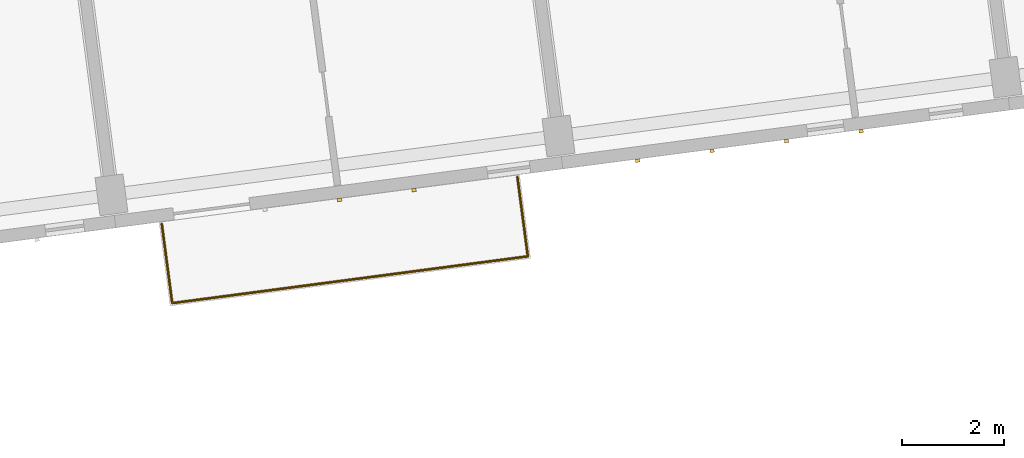
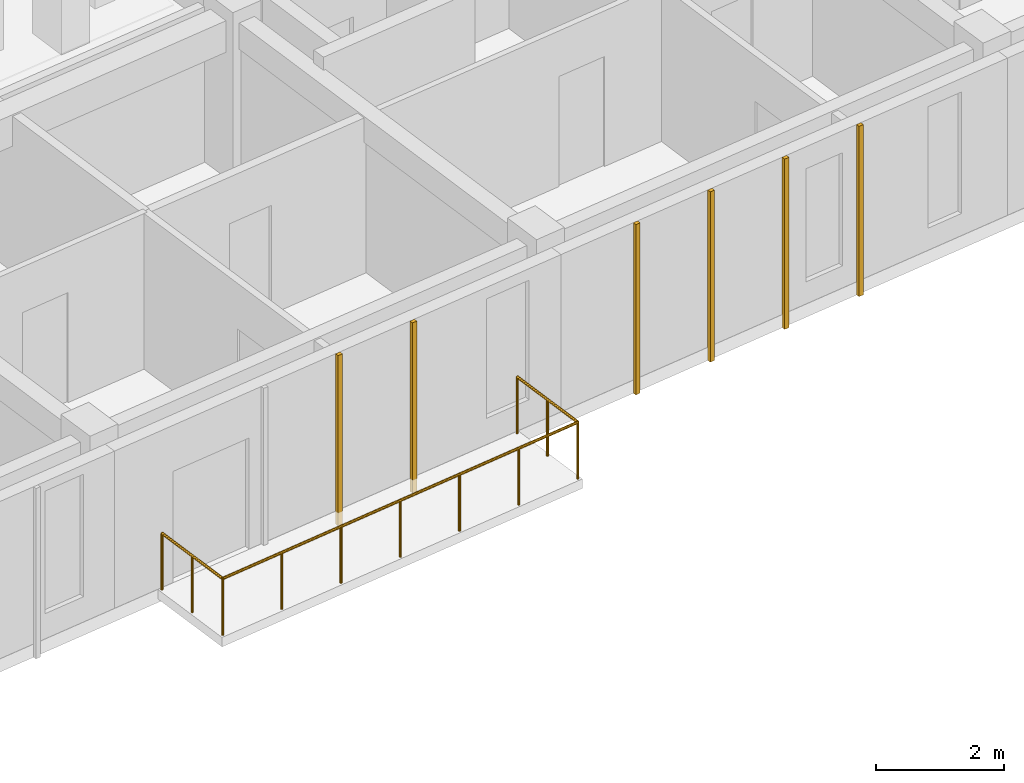
# One storey, part 41 of 64: 6 coverings, 1 railing.
"""IFC4 building model written with IfcOpenShell, lengths in metres."""

from ifc_helpers import new_model, si_unit, direction, frame, origin, origin_2d, place, context, subcontext, project, spatial, rectangle, circle, extrude, material, layer, layer_set, type_object, element, save


model = new_model("IFC4")

# Units and contexts
model_context = context("Model", 3, precision=1e-05, world=origin(), true_north=direction((0.0, 1.0)))
body_context = subcontext(model_context, "Body", "Model", "MODEL_VIEW")
ifc_project = project(units=[si_unit("LENGTHUNIT", "METRE"), si_unit("AREAUNIT", "SQUARE_METRE"), si_unit("VOLUMEUNIT", "CUBIC_METRE"), si_unit("PLANEANGLEUNIT", "RADIAN"), si_unit("MASSUNIT", "GRAM", prefix="KILO")], contexts=[model_context])

# Site, building, storey
site_placement = place(None, origin())
site = spatial("IfcSite", under=ifc_project, at=site_placement, CompositionType="ELEMENT")
building_placement = place(site_placement, origin())
building = spatial("IfcBuilding", under=site, at=building_placement, Name="Kestramere Prow Commons", CompositionType="ELEMENT")
storey_placement = place(building_placement, frame((0.0, 0.0, 24.64990234375)))
storey = spatial("IfcBuildingStorey", under=building, at=storey_placement, Name="L07", CompositionType="ELEMENT", Elevation=24.64990234375)

# Coverings
ifc_material_1 = material(Name="Weathered Zinc-Titanium Standing-Seam Cladding")
ifc_layer = layer(ifc_material_1, 0.074951171875)
ifc_layer_set = layer_set([ifc_layer], Name="Weathered Zinc-Titanium Standing-Seam Cladding")
covering_type = type_object("IfcCoveringType", Name="COV-CLAD-SEAM", PredefinedType="CLADDING", material=ifc_layer_set)
for number, where, z_axis, x_axis, name in (
    (1, (25.82958984375, 73.24267578125, -0.25), (0.0, 0.0, 1.0), (-0.991444861374, -0.13052619222, 0.0), "EW-A-L07-S-1 Standing-Seam Rib 2"),
    (2, (24.37548828125, 73.05126953125, -0.25), (0.0, 0.0, 1.0), (-0.991444861374, -0.13052619222, 0.0), "EW-A-L07-S-1 Standing-Seam Rib 3"),
    (3, (34.554443359375, 74.391357421875, -0.25), (0.0, 0.0, 1.0), (-0.991444861374, -0.13052619222, 0.0), "EW-A-L07-S-2 Standing-Seam Rib 2"),
    (4, (33.100341796875, 74.199951171875, -0.25), (0.0, 0.0, 1.0), (-0.991444861374, -0.13052619222, 0.0), "EW-A-L07-S-2 Standing-Seam Rib 3"),
    (5, (31.64599609375, 74.008544921875, -0.25), (0.0, 0.0, 1.0), (-0.991444861374, -0.13052619222, 0.0), "EW-A-L07-S-2 Standing-Seam Rib 4"),
    (6, (30.19189453125, 73.81689453125, -0.25), (0.0, 0.0, 1.0), (-0.991444861374, -0.13052619222, 0.0), "EW-A-L07-S-2 Standing-Seam Rib 5"),
):
    element("IfcCovering", number, at=place(storey_placement, frame(where, z_axis=z_axis, x_axis=x_axis)), inside=storey, type_object=covering_type, Name=name, PredefinedType="CLADDING", context=body_context, shape_type="SweptSolid", body=[
        extrude(rectangle(XDim=0.0849609375, YDim=0.06494140625, at=origin_2d()), origin(), (0.0, 0.0, 1.0), 3.25),
    ])

# Railing
ifc_material_2 = material(Name="Powder-Coated Aluminium 6063-T6", Category="aluminium")
railing_type = type_object("IfcRailingType", Name="GRD-BALC-1100", PredefinedType="BALUSTRADE", material=ifc_material_2)
railing_placement = place(storey_placement, frame((20.906982421875, 72.58203125, 0.0)))
element("IfcRailing", 7, at=railing_placement, inside=storey, type_object=railing_type, Name="Block A L07 Balcony Guardrail 2", PredefinedType="BALUSTRADE", context=body_context, shape_type="SweptSolid", body=[
    extrude(circle(Radius=0.02392578125, at=origin_2d()), frame((0.0, 0.0, 1.076171875), z_axis=(0.130523335136, -0.991445237512, 0.0), x_axis=(0.991445237512, 0.130523335136, 0.0)), (0.0, 0.0, 1.0), 1.56005859375),
    extrude(circle(Radius=0.02392578125, at=origin_2d()), frame((0.20361328125, -1.546630859375, 1.076171875), z_axis=(0.991447052715, 0.13050954625, 0.0), x_axis=(-0.13050954625, 0.991447052715, 0.0)), (0.0, 0.0, 1.0), 7.0),
    extrude(circle(Radius=0.02392578125, at=origin_2d()), frame((7.143798828125, -0.633056640625, 1.076171875), z_axis=(-0.130523335136, 0.991445237512, 0.0), x_axis=(-0.991445237512, -0.130523335136, 0.0)), (0.0, 0.0, 1.0), 1.56005859375),
    extrude(circle(Radius=0.02099609375, at=origin_2d()), origin(), (0.0, 0.0, 1.0), 1.052001953125),
    extrude(circle(Radius=0.02099609375, at=origin_2d()), frame((0.101806640625, -0.7734375, 0.0)), (0.0, 0.0, 1.0), 1.052001953125),
    extrude(circle(Radius=0.02099609375, at=origin_2d()), frame((0.20361328125, -1.546630859375, 0.0)), (0.0, 0.0, 1.0), 1.052001953125),
    extrude(circle(Radius=0.02099609375, at=origin_2d()), frame((1.3603515625, -1.394287109375, 0.0)), (0.0, 0.0, 1.0), 1.052001953125),
    extrude(circle(Radius=0.02099609375, at=origin_2d()), frame((2.51708984375, -1.2421875, 0.0)), (0.0, 0.0, 1.0), 1.052001953125),
    extrude(circle(Radius=0.02099609375, at=origin_2d()), frame((3.673828125, -1.08984375, 0.0)), (0.0, 0.0, 1.0), 1.052001953125),
    extrude(circle(Radius=0.02099609375, at=origin_2d()), frame((4.830322265625, -0.9375, 0.0)), (0.0, 0.0, 1.0), 1.052001953125),
    extrude(circle(Radius=0.02099609375, at=origin_2d()), frame((5.987060546875, -0.785400390625, 0.0)), (0.0, 0.0, 1.0), 1.052001953125),
    extrude(circle(Radius=0.02099609375, at=origin_2d()), frame((7.143798828125, -0.633056640625, 0.0)), (0.0, 0.0, 1.0), 1.052001953125),
    extrude(circle(Radius=0.02099609375, at=origin_2d()), frame((7.0419921875, 0.14013671875, 0.0)), (0.0, 0.0, 1.0), 1.052001953125),
    extrude(circle(Radius=0.02099609375, at=origin_2d()), frame((6.940185546875, 0.91357421875, 0.0)), (0.0, 0.0, 1.0), 1.052001953125),
])

save(model, "model.ifc")
